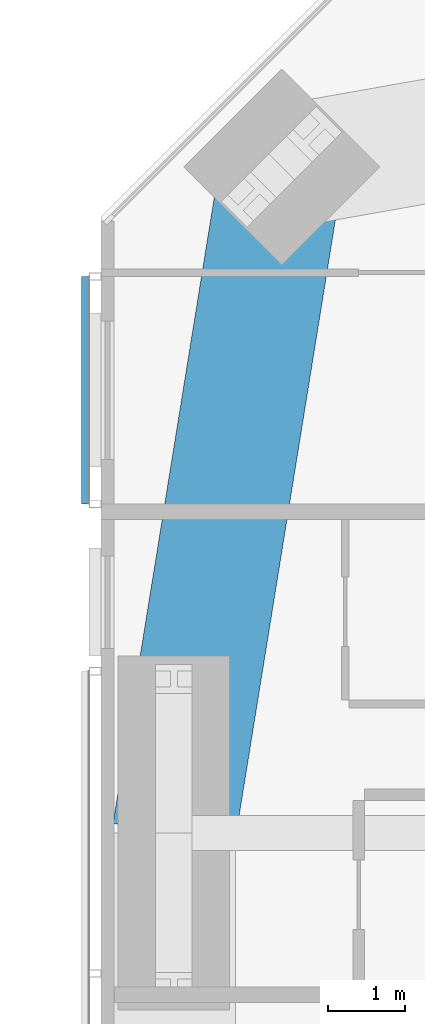
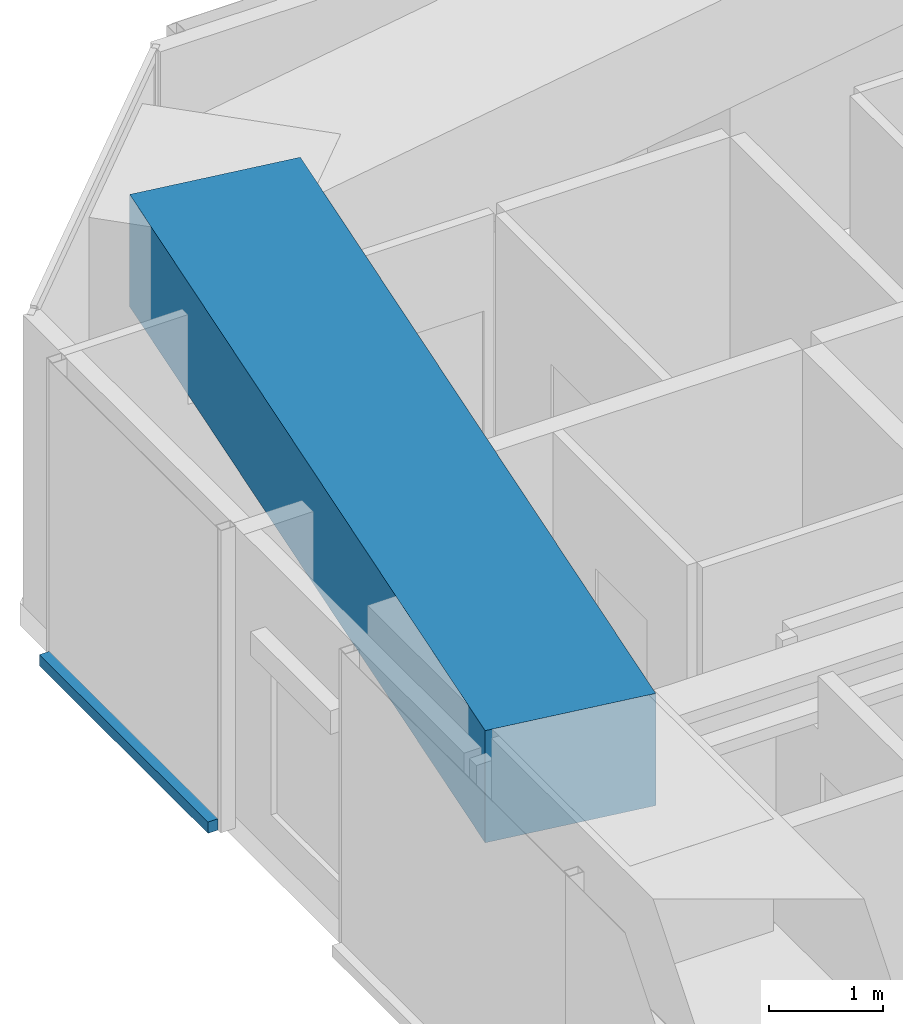
# One storey, part 6 of 23: 1 beam, 1 member, 1 element without a shape of its own.
"""IFC4 building model written with IfcOpenShell, lengths in metres."""

from ifc_helpers import new_model, si_unit, direction, frame, origin, origin_2d, place, context, subcontext, project, spatial, rectangle, extrude, material, material_profile, profile_set, type_object, element, aggregate, save


model = new_model("IFC4")

# Units and contexts
model_context = context("Model", 3, precision=1e-05, world=origin(), true_north=direction((0.0, 1.0)))
body_context = subcontext(model_context, "Body", "Model", "MODEL_VIEW")
ifc_project = project(units=[si_unit("LENGTHUNIT", "METRE"), si_unit("AREAUNIT", "SQUARE_METRE"), si_unit("VOLUMEUNIT", "CUBIC_METRE"), si_unit("PLANEANGLEUNIT", "RADIAN"), si_unit("MASSUNIT", "GRAM", prefix="KILO")], contexts=[model_context])

# Site, building, storey
site_placement = place(None, origin())
site = spatial("IfcSite", under=ifc_project, at=site_placement, CompositionType="ELEMENT")
building_placement = place(site_placement, origin())
building = spatial("IfcBuilding", under=site, at=building_placement, Name="Jalousie Tower", CompositionType="ELEMENT")
storey_placement = place(building_placement, frame((0.0, 0.0, 167.75)))
storey = spatial("IfcBuildingStorey", under=building, at=storey_placement, Name="L45", CompositionType="ELEMENT", Elevation=167.75)

# Beam
ifc_material_1 = material(Name="Concrete f'c 40 MPa", Category="concrete")
ifc_material_profile_1 = material_profile(ifc_material_1, rectangle(XDim=1.60009765625, YDim=1.199951171875, at=origin_2d()), Name="RC 1600x1200")
ifc_profile_set_1 = profile_set([ifc_material_profile_1], Name="Concrete f'c 40 MPa")
beam_type = type_object("IfcBeamType", Name="RC BEAM 1600x1200", PredefinedType="BEAM", material=ifc_profile_set_1)
beam_placement = place(storey_placement, frame((14.348388671875, 33.651611328125, 2.75), z_axis=(-0.159567878256, -0.987186959106, 0.0), x_axis=(0.987186959106, -0.159567878256, 0.0)))
element("IfcBeam", 1, at=beam_placement, inside=storey, type_object=beam_type, Name="Edge band beam 12-13 under L46", PredefinedType="BEAM", context=body_context, shape_type="SweptSolid", body=[
    extrude(rectangle(XDim=1.60009765625, YDim=1.199951171875, at=origin_2d()), origin(), (0.0, 0.0, 1.0), 8.763916015625),
])

# Curtain wall, member
ifc_material_2 = material(Name="Perforated aluminium sheet", Category="aluminium")
curtain_wall_type = type_object("IfcCurtainWallType", Name="SOLAR SCREEN SS-1", PredefinedType="USERDEFINED", material=ifc_material_2)
curtain_wall_placement = place(storey_placement, origin())
curtain_wall = element("IfcCurtainWall", 2, at=curtain_wall_placement, inside=storey, type_object=curtain_wall_type, Name="Solar screen L45", ObjectType="SOLAR SCREEN SS-1", PredefinedType="USERDEFINED")
ifc_material_3 = material(Name="Extruded aluminium screen rail", Category="aluminium")
ifc_material_profile_2 = material_profile(ifc_material_3, rectangle(XDim=0.1015625, YDim=0.1201171875, at=origin_2d()), Name="RAIL 102x120")
ifc_profile_set_2 = profile_set([ifc_material_profile_2], Name="Extruded aluminium screen rail")
member_type = type_object("IfcMemberType", Name="SOLAR SCREEN SS-1 TRANSOM", PredefinedType="USERDEFINED", material=ifc_profile_set_2)
member_placement = place(storey_placement, frame((11.8017578125, 32.228759765625, -0.06005859375), z_axis=(0.0, -1.0, 0.0), x_axis=(1.0, 0.0, 0.0)))
member = element("IfcMember", 3, at=member_placement, type_object=member_type, Name="SS1 rail", ObjectType="TRANSOM", PredefinedType="USERDEFINED", context=body_context, shape_type="SweptSolid", body=[
    extrude(rectangle(XDim=0.1015625, YDim=0.1201171875, at=origin_2d()), origin(), (0.0, 0.0, 1.0), 2.953857421875),
])
aggregate(curtain_wall, [member])

save(model, "model.ifc")
